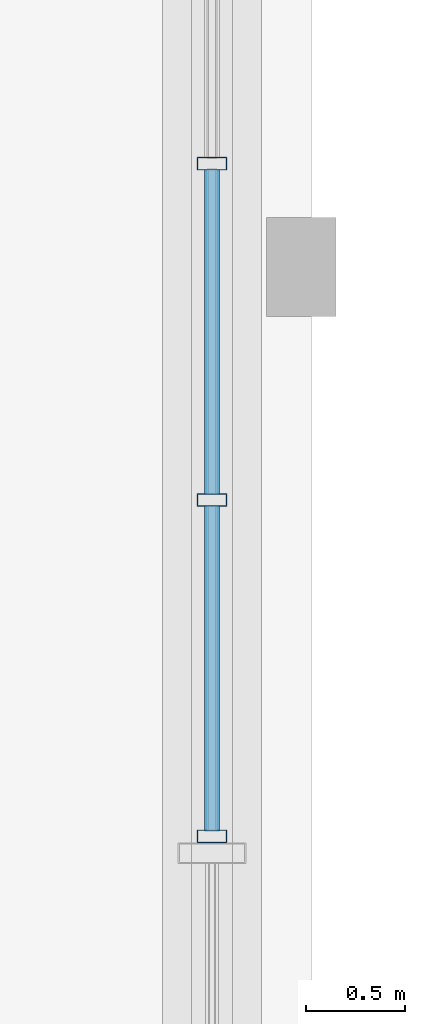
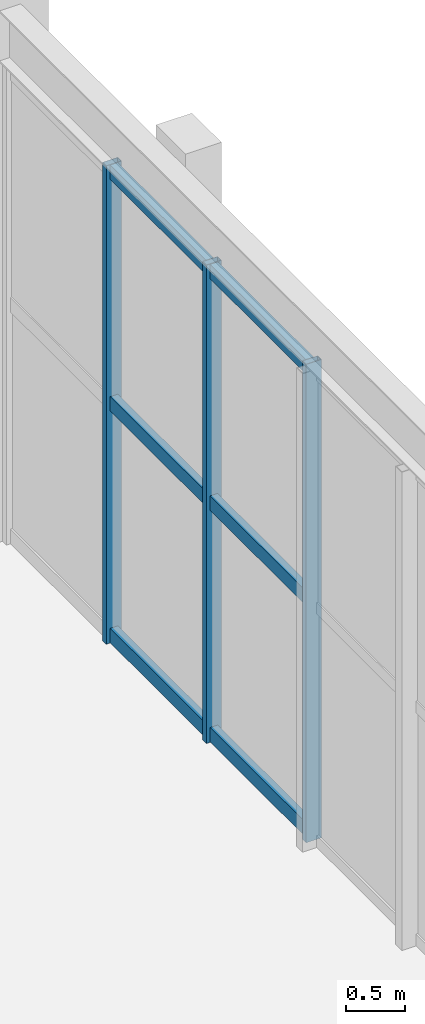
# One storey, part 33 of 113: 9 members, 1 element without a shape of its own.
"""IFC4 building model written with IfcOpenShell, lengths in metres."""

import ifcopenshell
import ifcopenshell.guid

model = None  # the IFC model being written
_history = None  # IfcOwnerHistory: only IFC2X3 demands one
_inside = {}  # id of a spatial element -> (the spatial element, [elements in it])
_under = {}  # id of a project, library or spatial element -> (it, [spatial elements below it])
_declared = {}  # id of a project -> (the project, [libraries it declares])
_typed = {}  # id of a type object -> (the type object, [elements of that type])
_made_of = {}  # id of a material, layer set ... -> (it, [elements and type objects made of it])


def new_model(schema):
    """Start an empty IFC model of exactly this schema.

    Asked for "IFC4X3", IfcOpenShell would pick the latest addendum, in which some entities
    have other attributes; the version numbers below select the first issue.
    IFC2X3 requires an IfcOwnerHistory on every rooted entity: one is made here for all.
    """
    global model, _history
    if schema == "IFC4X3":
        model = ifcopenshell.file(schema_version=(4, 3, 0, 0))
    else:
        model = ifcopenshell.file(schema=schema)
    _inside.clear()
    _under.clear()
    _declared.clear()
    _typed.clear()
    _made_of.clear()
    _history = None
    if model.schema == "IFC2X3":
        org = make("IfcOrganization", Name="unknown")
        user = make(
            "IfcPersonAndOrganization",
            ThePerson=make("IfcPerson", FamilyName="unknown"),
            TheOrganization=org,
        )
        app = make(
            "IfcApplication",
            ApplicationDeveloper=org,
            Version="unknown",
            ApplicationFullName="unknown",
            ApplicationIdentifier="unknown",
        )
        _history = make(
            "IfcOwnerHistory",
            OwningUser=user,
            OwningApplication=app,
            ChangeAction="ADDED",
            CreationDate=0,
        )
    return model


def make(cls, **values):
    """One entity of the class cls with the attributes given. An attribute that is None is left unset."""
    return model.create_entity(
        cls, **{name: value for name, value in values.items() if value is not None}
    )


def rooted(cls, **values):
    """An entity with a GlobalId (a new one), such as an element, a storey or a relation."""
    return make(cls, GlobalId=ifcopenshell.guid.new(), OwnerHistory=_history, **values)


def si_unit(unit_type, name, prefix=None):
    """IfcSIUnit, for example si_unit("LENGTHUNIT", "METRE", prefix="MILLI")."""
    return make("IfcSIUnit", UnitType=unit_type, Prefix=prefix, Name=name)


def assignment(units):
    """IfcUnitAssignment: the units of a project."""
    return None if units is None else make("IfcUnitAssignment", Units=units)


def point(xyz):
    """IfcCartesianPoint."""
    return None if xyz is None else make("IfcCartesianPoint", Coordinates=xyz)


def direction(xyz):
    """IfcDirection."""
    return None if xyz is None else make("IfcDirection", DirectionRatios=xyz)


def frame(location, z_axis=None, x_axis=None):
    """IfcAxis2Placement3D, a coordinate frame: its origin and axes. An axis left out is left unset."""
    return make(
        "IfcAxis2Placement3D",
        Location=point(location),
        Axis=direction(z_axis),
        RefDirection=direction(x_axis),
    )


def frame_2d(location, x_axis=None):
    """IfcAxis2Placement2D, a coordinate frame in the plane: its origin and x axis."""
    return make(
        "IfcAxis2Placement2D", Location=point(location), RefDirection=direction(x_axis)
    )


def origin():
    """The frame at (0, 0, 0) with its axes left unset."""
    return frame((0.0, 0.0, 0.0))


def origin_2d():
    """The frame at (0, 0) in the plane with its x axis left unset."""
    return frame_2d((0.0, 0.0))


def place(relative_to, where):
    """IfcLocalPlacement: puts the frame where relative to a parent placement (None: the world)."""
    return make(
        "IfcLocalPlacement", PlacementRelTo=relative_to, RelativePlacement=where
    )


def context(
    kind, dimensions, precision=None, world=None, true_north=None, identifier=None
):
    """IfcGeometricRepresentationContext, for example the 3D "Model" context."""
    return make(
        "IfcGeometricRepresentationContext",
        ContextIdentifier=identifier,
        ContextType=kind,
        CoordinateSpaceDimension=dimensions,
        Precision=precision,
        WorldCoordinateSystem=world,
        TrueNorth=true_north,
    )


def subcontext(parent, identifier, kind, view, scale=None):
    """IfcGeometricRepresentationSubContext, for example "Body" below "Model"."""
    return make(
        "IfcGeometricRepresentationSubContext",
        ContextIdentifier=identifier,
        ContextType=kind,
        ParentContext=parent,
        TargetScale=scale,
        TargetView=view,
    )


def project(units=None, contexts=None):
    """IfcProject with its units and contexts."""
    return rooted(
        "IfcProject",
        Name="project",
        RepresentationContexts=contexts,
        UnitsInContext=assignment(units),
    )


def spatial(cls, under=None, at=None, **own):
    """A site, building, storey or space (cls), placed at a placement, below another one or the project."""
    s = rooted(cls, ObjectPlacement=at, **own)
    if under is not None:
        _under.setdefault(under.id(), (under, []))[1].append(s)
    return s


def profile(cls, at=None, kind="AREA", **sizes):
    """A parametric profile (cls). Its sizes go by their IFC names, for example OverallWidth=200.0."""
    return make(cls, ProfileType=kind, Position=at, **sizes)


def hollow_rectangle(**sizes):
    """IfcRectangleHollowProfileDef."""
    return profile("IfcRectangleHollowProfileDef", **sizes)


def extrude(swept, where, along, depth):
    """IfcExtrudedAreaSolid: the profile swept, set in the frame where, extruded along a direction by depth."""
    return make(
        "IfcExtrudedAreaSolid",
        SweptArea=swept,
        Position=where,
        ExtrudedDirection=direction(along),
        Depth=depth,
    )


def shape(context_of_items, identifier, shape_type, items):
    """IfcShapeRepresentation: the items that make up one representation, for example the "Body"."""
    return make(
        "IfcShapeRepresentation",
        ContextOfItems=context_of_items,
        RepresentationIdentifier=identifier,
        RepresentationType=shape_type,
        Items=items,
    )


def material(Name=None, Category=None):
    """IfcMaterial."""
    return make("IfcMaterial", Name=Name, Category=Category)


def layer(
    of_material, thickness, ventilated=None, Name=None, Category=None, Priority=None
):
    """IfcMaterialLayer: one layer of a wall or slab, of a material (None: an air gap)."""
    return make(
        "IfcMaterialLayer",
        Material=of_material,
        LayerThickness=thickness,
        IsVentilated=ventilated,
        Name=Name,
        Category=Category,
        Priority=Priority,
    )


def layer_set(layers, Name=None):
    """IfcMaterialLayerSet."""
    return make("IfcMaterialLayerSet", MaterialLayers=layers, LayerSetName=Name)


def material_profile(
    of_material, cross_section, Name=None, Category=None, Priority=None
):
    """IfcMaterialProfile: a cross section and its material."""
    return make(
        "IfcMaterialProfile",
        Name=Name,
        Material=of_material,
        Profile=cross_section,
        Priority=Priority,
        Category=Category,
    )


def profile_set(profiles, Name=None, composite=None):
    """IfcMaterialProfileSet."""
    return make(
        "IfcMaterialProfileSet",
        Name=Name,
        MaterialProfiles=profiles,
        CompositeProfile=composite,
    )


def made_of(thing, what):
    """Note that an element or type object is made of a material, layer set ...; save() writes the relation."""
    if what is not None:
        _made_of.setdefault(what.id(), (what, []))[1].append(thing)
    return thing


def type_object(cls, material=None, **own):
    """A type object (cls), such as IfcWallType, which elements share."""
    return made_of(rooted(cls, **own), material)


def element(
    cls,
    number,
    at=None,
    inside=None,
    cuts=None,
    type_object=None,
    material=None,
    context=None,
    identifier="Body",
    shape_type=None,
    held_by="IfcProductDefinitionShape",
    body=None,
    shapes=None,
    **own,
):
    """One element of the class cls, such as IfcWall. Its Tag is "e" and its number.

    at: its placement. inside: the storey or other place that contains it. cuts: it is an
    opening in that element (IfcRelVoidsElement). A single representation is given by context,
    identifier, shape_type and body (its items); several are given by shapes. held_by: the class
    of the entity that holds the representations. save() writes the other relations.
    """
    e = rooted(cls, Tag="e%d" % number, ObjectPlacement=at, **own)
    if body is not None:
        shapes = [shape(context, identifier, shape_type, body)]
    if shapes is not None:
        e.Representation = make(held_by, Representations=shapes)
    if inside is not None:
        _inside.setdefault(inside.id(), (inside, []))[1].append(e)
    if cuts is not None:
        rooted(
            "IfcRelVoidsElement", RelatingBuildingElement=cuts, RelatedOpeningElement=e
        )
    if type_object is not None:
        _typed.setdefault(type_object.id(), (type_object, []))[1].append(e)
    return made_of(e, material)


def aggregate(whole, parts):
    """IfcRelAggregates: a whole, such as a stair, and the parts it consists of."""
    return rooted("IfcRelAggregates", RelatingObject=whole, RelatedObjects=parts)


def save(model, path):
    """Write the relations noted so far, then the file.

    IfcRelAggregates (storeys below a building ...), IfcRelContainedInSpatialStructure (elements
    in a storey), IfcRelDefinesByType, IfcRelAssociatesMaterial and IfcRelDeclares: one each for
    every whole, place, type object, material and project.
    """
    for whole, parts in _under.values():
        aggregate(whole, parts)
    for where, things in _inside.values():
        rooted(
            "IfcRelContainedInSpatialStructure",
            RelatedElements=things,
            RelatingStructure=where,
        )
    for kind, things in _typed.values():
        rooted("IfcRelDefinesByType", RelatedObjects=things, RelatingType=kind)
    for what, things in _made_of.values():
        rooted("IfcRelAssociatesMaterial", RelatedObjects=things, RelatingMaterial=what)
    for by, libraries in _declared.values():
        rooted("IfcRelDeclares", RelatingContext=by, RelatedDefinitions=libraries)
    model.write(path)


model = new_model("IFC4")

# Units and contexts
model_context = context("Model", 3, precision=1e-05, world=origin(), true_north=direction((0.0, 1.0)))
body_context = subcontext(model_context, "Body", "Model", "MODEL_VIEW")
ifc_project = project(units=[si_unit("LENGTHUNIT", "METRE"), si_unit("AREAUNIT", "SQUARE_METRE"), si_unit("VOLUMEUNIT", "CUBIC_METRE"), si_unit("PLANEANGLEUNIT", "RADIAN"), si_unit("MASSUNIT", "GRAM", prefix="KILO"), si_unit("POWERUNIT", "WATT"), si_unit("THERMODYNAMICTEMPERATUREUNIT", "KELVIN")], contexts=[model_context])

# Site, building, storey
site_placement = place(None, origin())
site = spatial("IfcSite", under=ifc_project, at=site_placement, CompositionType="ELEMENT")
building_placement = place(site_placement, origin())
building = spatial("IfcBuilding", under=site, at=building_placement, Name="Kelmbourne Parkland Aquatics Centre", CompositionType="ELEMENT")
storey_placement = place(building_placement, origin())
storey = spatial("IfcBuildingStorey", under=building, at=storey_placement, Name="L00", CompositionType="ELEMENT", Elevation=0.0)

# Curtain wall, members
ifc_material = material(Name="Thermally broken anodised aluminium framing", Category="aluminium")
ifc_layer = layer(ifc_material, 0.179931640625)
ifc_layer_set = layer_set([ifc_layer], Name="Thermally broken anodised aluminium framing")
curtain_wall_type = type_object("IfcCurtainWallType", Name="CW-07", PredefinedType="NOTDEFINED", material=ifc_layer_set)
curtain_wall_placement = place(storey_placement, origin())
curtain_wall = element("IfcCurtainWall", 1, at=curtain_wall_placement, inside=storey, type_object=curtain_wall_type, Name="Facade curtain wall CW-L00-175", PredefinedType="NOTDEFINED")
ifc_material_profile_1 = material_profile(ifc_material, hollow_rectangle(XDim=0.06494140625, YDim=0.14990234375, WallThickness=0.00390625, at=origin_2d()), Name="CW-M 65x150")
ifc_profile_set_1 = profile_set([ifc_material_profile_1], Name="Thermally broken anodised aluminium framing")
member_type_1 = type_object("IfcMemberType", Name="MB-MUL-1", PredefinedType="MULLION", material=ifc_profile_set_1)
member_1_placement = place(storey_placement, frame((46.0, 52.132568359375, 0.0), z_axis=(0.0, 0.0, 1.0), x_axis=(0.0, 1.0, 0.0)))
member_1 = element("IfcMember", 2, at=member_1_placement, type_object=member_type_1, Name="CW-L00-175 mullion 0", PredefinedType="MULLION", context=body_context, shape_type="SweptSolid", body=[
    extrude(hollow_rectangle(XDim=0.06494140625, YDim=0.14990234375, WallThickness=0.00390625, at=origin_2d()), origin(), (0.0, 0.0, 1.0), 4.951904296875),
])
member_2_placement = place(storey_placement, frame((46.0, 53.826904296875, 0.0), z_axis=(0.0, 0.0, 1.0), x_axis=(0.0, 1.0, 0.0)))
member_2 = element("IfcMember", 3, at=member_2_placement, type_object=member_type_1, Name="CW-L00-175 mullion 1", PredefinedType="MULLION", context=body_context, shape_type="SweptSolid", body=[
    extrude(hollow_rectangle(XDim=0.06494140625, YDim=0.14990234375, WallThickness=0.00390625, at=origin_2d()), origin(), (0.0, 0.0, 1.0), 4.951904296875),
])
member_3_placement = place(storey_placement, frame((46.0, 55.521240234375, 0.0), z_axis=(0.0, 0.0, 1.0), x_axis=(0.0, 1.0, 0.0)))
member_3 = element("IfcMember", 4, at=member_3_placement, type_object=member_type_1, Name="CW-L00-175 mullion 2", PredefinedType="MULLION", context=body_context, shape_type="SweptSolid", body=[
    extrude(hollow_rectangle(XDim=0.06494140625, YDim=0.14990234375, WallThickness=0.00390625, at=origin_2d()), origin(), (0.0, 0.0, 1.0), 4.951904296875),
])
ifc_material_profile_2 = material_profile(ifc_material, hollow_rectangle(XDim=0.074951171875, YDim=0.14990234375, WallThickness=0.00390625, at=origin_2d()), Name="CW-T 75x150")
ifc_profile_set_2 = profile_set([ifc_material_profile_2], Name="Thermally broken anodised aluminium framing")
member_type_2 = type_object("IfcMemberType", Name="MB-TRN-2", PredefinedType="USERDEFINED", material=ifc_profile_set_2)
member_4_placement = place(storey_placement, frame((46.0, 52.160888671875, 0.077880859375), z_axis=(0.0, 1.0, 0.0), x_axis=(-1.0, 0.0, 0.0)))
member_4 = element("IfcMember", 5, at=member_4_placement, type_object=member_type_2, Name="CW-L00-175 transom 0-0", ObjectType="TRANSOM", PredefinedType="USERDEFINED", context=body_context, shape_type="SweptSolid", body=[
    extrude(hollow_rectangle(XDim=0.074951171875, YDim=0.14990234375, WallThickness=0.00390625, at=origin_2d()), origin(), (0.0, 0.0, 1.0), 1.637451171875),
])
member_5_placement = place(storey_placement, frame((46.0, 53.855224609375, 0.077880859375), z_axis=(0.0, 1.0, 0.0), x_axis=(-1.0, 0.0, 0.0)))
member_5 = element("IfcMember", 6, at=member_5_placement, type_object=member_type_2, Name="CW-L00-175 transom 0-1", ObjectType="TRANSOM", PredefinedType="USERDEFINED", context=body_context, shape_type="SweptSolid", body=[
    extrude(hollow_rectangle(XDim=0.074951171875, YDim=0.14990234375, WallThickness=0.00390625, at=origin_2d()), origin(), (0.0, 0.0, 1.0), 1.637451171875),
])
member_6_placement = place(storey_placement, frame((46.0, 52.160888671875, 2.47607421875), z_axis=(0.0, 1.0, 0.0), x_axis=(-1.0, 0.0, 0.0)))
member_6 = element("IfcMember", 7, at=member_6_placement, type_object=member_type_2, Name="CW-L00-175 transom 1-0", ObjectType="TRANSOM", PredefinedType="USERDEFINED", context=body_context, shape_type="SweptSolid", body=[
    extrude(hollow_rectangle(XDim=0.074951171875, YDim=0.14990234375, WallThickness=0.00390625, at=origin_2d()), origin(), (0.0, 0.0, 1.0), 1.637451171875),
])
member_7_placement = place(storey_placement, frame((46.0, 53.855224609375, 2.47607421875), z_axis=(0.0, 1.0, 0.0), x_axis=(-1.0, 0.0, 0.0)))
member_7 = element("IfcMember", 8, at=member_7_placement, type_object=member_type_2, Name="CW-L00-175 transom 1-1", ObjectType="TRANSOM", PredefinedType="USERDEFINED", context=body_context, shape_type="SweptSolid", body=[
    extrude(hollow_rectangle(XDim=0.074951171875, YDim=0.14990234375, WallThickness=0.00390625, at=origin_2d()), origin(), (0.0, 0.0, 1.0), 1.637451171875),
])
member_8_placement = place(storey_placement, frame((46.0, 52.160888671875, 4.8740234375), z_axis=(0.0, 1.0, 0.0), x_axis=(-1.0, 0.0, 0.0)))
member_8 = element("IfcMember", 9, at=member_8_placement, type_object=member_type_2, Name="CW-L00-175 transom 2-0", ObjectType="TRANSOM", PredefinedType="USERDEFINED", context=body_context, shape_type="SweptSolid", body=[
    extrude(hollow_rectangle(XDim=0.074951171875, YDim=0.14990234375, WallThickness=0.00390625, at=origin_2d()), origin(), (0.0, 0.0, 1.0), 1.637451171875),
])
member_9_placement = place(storey_placement, frame((46.0, 53.855224609375, 4.8740234375), z_axis=(0.0, 1.0, 0.0), x_axis=(-1.0, 0.0, 0.0)))
member_9 = element("IfcMember", 10, at=member_9_placement, type_object=member_type_2, Name="CW-L00-175 transom 2-1", ObjectType="TRANSOM", PredefinedType="USERDEFINED", context=body_context, shape_type="SweptSolid", body=[
    extrude(hollow_rectangle(XDim=0.074951171875, YDim=0.14990234375, WallThickness=0.00390625, at=origin_2d()), origin(), (0.0, 0.0, 1.0), 1.637451171875),
])
aggregate(curtain_wall, [member_1, member_2, member_3, member_4, member_5, member_6, member_7, member_8, member_9])

save(model, "model.ifc")
